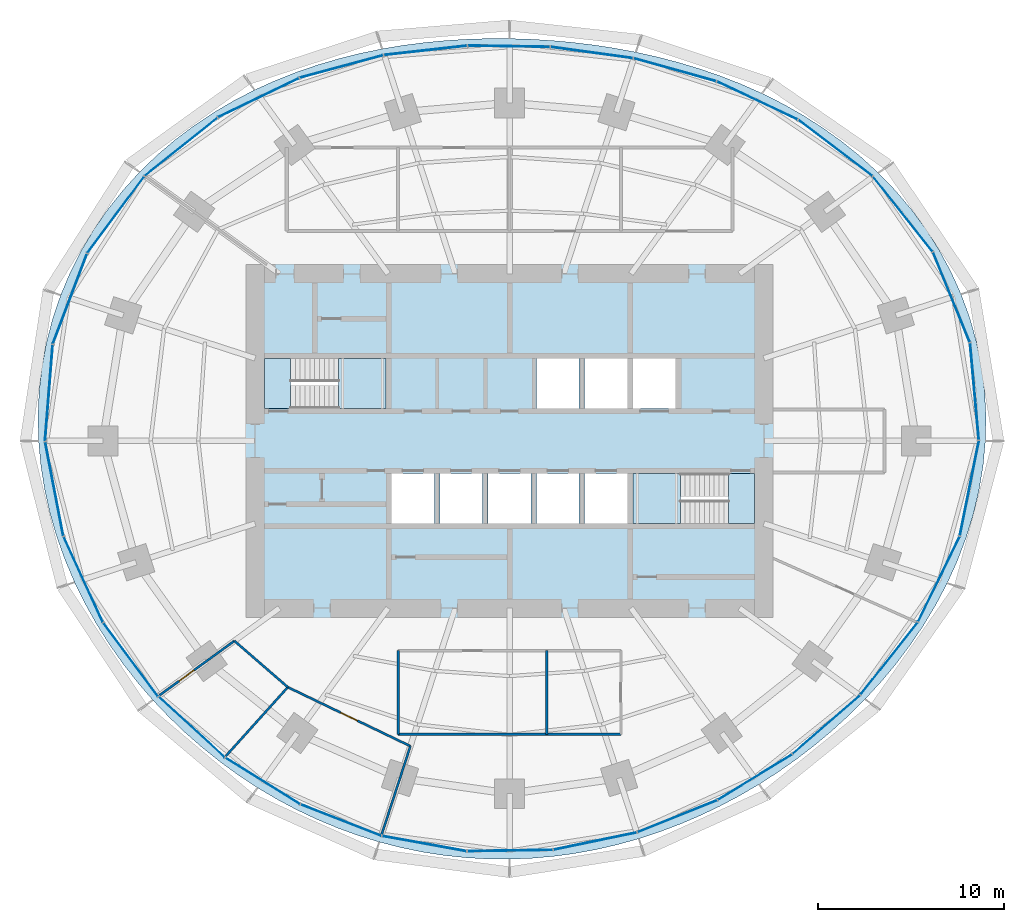
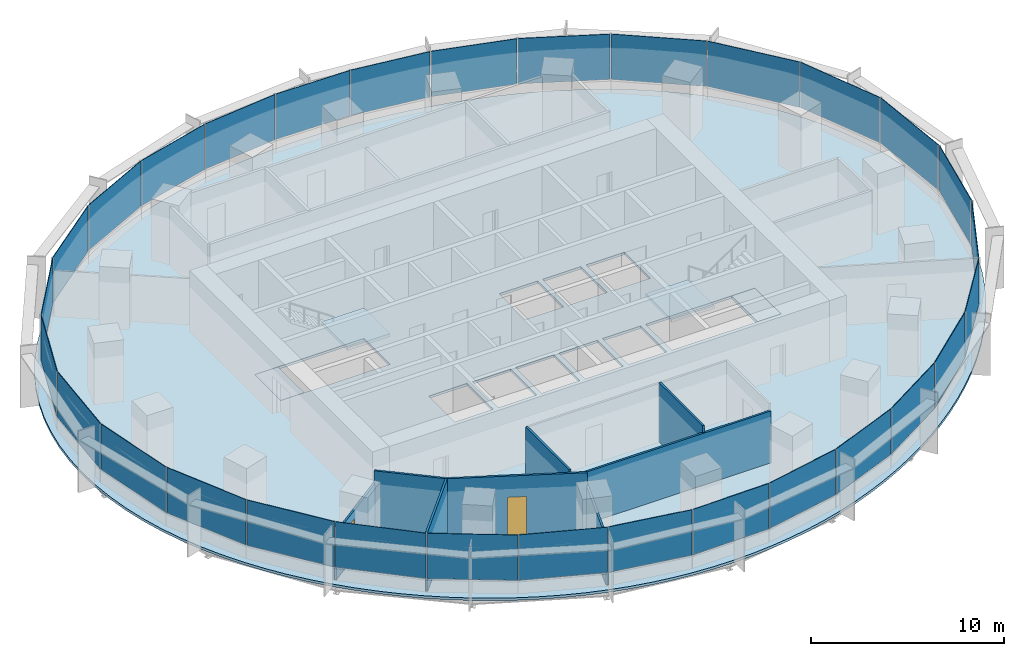
# One storey, part 9 of 14: 30 plates, 8 walls, 5 slabs, 2 doors, 2 openings, 8 elements without a shape of their own.
"""IFC4 building model written with IfcOpenShell, lengths in metres."""

from ifc_helpers import new_model, si_unit, direction, frame, frame_2d, origin, origin_2d, place, context, subcontext, project, spatial, polyline, rectangle, outline, extrude, material, layer, layer_set, type_object, element, fill, aggregate, save


model = new_model("IFC4")

# Units and contexts
model_context = context("Model", 3, precision=1e-05, world=origin(), true_north=direction((0.0, 1.0)))
body_context = subcontext(model_context, "Body", "Model", "MODEL_VIEW")
ifc_project = project(units=[si_unit("LENGTHUNIT", "METRE"), si_unit("AREAUNIT", "SQUARE_METRE"), si_unit("VOLUMEUNIT", "CUBIC_METRE"), si_unit("PLANEANGLEUNIT", "RADIAN"), si_unit("MASSUNIT", "GRAM", prefix="KILO")], contexts=[model_context])

# Site, building, storey
site_placement = place(None, origin())
site = spatial("IfcSite", under=ifc_project, at=site_placement, CompositionType="ELEMENT")
building_placement = place(site_placement, origin())
building = spatial("IfcBuilding", under=site, at=building_placement, Name="Marramba Exchange Tower", CompositionType="ELEMENT")
storey_placement = place(building_placement, frame((0.0, 0.0, 158.699951171875)))
storey = spatial("IfcBuildingStorey", under=building, at=storey_placement, Name="L38", CompositionType="ELEMENT", Elevation=158.699951171875)

# Slab
ifc_material_1 = material(Name="Concrete N40", Category="concrete")
ifc_layer_1 = layer(ifc_material_1, 0.159912109375)
ifc_layer_set_1 = layer_set([ifc_layer_1], Name="Composite floor slab 160")
slab_type_1 = type_object("IfcSlabType", Name="Composite floor slab 160", PredefinedType="FLOOR", material=ifc_layer_set_1)
slab_1_placement = place(storey_placement, frame((0.0, 0.0, -0.159912109375)))
element("IfcSlab", 1, at=slab_1_placement, inside=storey, type_object=slab_type_1, Name="Floor slab L38", PredefinedType="FLOOR", context=body_context, shape_type="SweptSolid", body=[
    extrude(outline(polyline([(25.632080078125, 0.0), (25.66064453125, 1.3447265625), (25.59033203125, 2.689697265625), (25.420166015625, 4.026123046875), (25.15087890625, 5.345947265625), (24.7841796875, 6.640869140625), (24.322998046875, 7.903076171875), (23.771484375, 9.125), (23.135009765625, 10.30029296875), (22.419677734375, 11.42333984375), (21.632080078125, 12.4892578125), (20.779541015625, 13.494384765625), (19.869384765625, 14.43603515625), (18.9091796875, 15.3125), (17.90625, 16.122802734375), (16.86767578125, 16.86767578125), (15.800048828125, 17.5478515625), (14.70947265625, 18.164794921875), (13.6015625, 18.720947265625), (12.48095703125, 19.218994140625), (11.3515625, 19.66162109375), (10.217041015625, 20.05224609375), (9.079833984375, 20.393798828125), (7.94189453125, 20.689453125), (6.804443359375, 20.942138671875), (5.668212890625, 21.154296875), (4.533447265625, 21.328369140625), (3.39990234375, 21.46630859375), (2.26708984375, 21.5693359375), (1.134033203125, 21.63818359375), (0.0, 21.673095703125), (-1.135986328125, 21.673828125), (-2.2744140625, 21.6396484375), (-3.416259765625, 21.5693359375), (-4.5615234375, 21.460693359375), (-5.71044921875, 21.31201171875), (-6.8623046875, 21.1201171875), (-8.01611328125, 20.8828125), (-9.170166015625, 20.5966796875), (-10.322509765625, 20.2587890625), (-11.4697265625, 19.8662109375), (-12.60888671875, 19.415771484375), (-13.7353515625, 18.905029296875), (-14.8447265625, 18.331787109375), (-15.931640625, 17.69384765625), (-16.989990234375, 16.989990234375), (-18.013916015625, 16.2197265625), (-18.996826171875, 15.38330078125), (-19.931884765625, 14.4814453125), (-20.8125, 13.515869140625), (-21.632080078125, 12.4892578125), (-22.384033203125, 11.4052734375), (-23.0625, 10.26806640625), (-23.661865234375, 9.0830078125), (-24.177734375, 7.855712890625), (-24.605712890625, 6.593017578125), (-24.943603515625, 5.302001953125), (-25.18896484375, 3.989501953125), (-25.341064453125, 2.663330078125), (-25.400390625, 1.3310546875), (-25.367919921875, 0.0), (-25.246337890625, -1.322998046875), (-25.038818359375, -2.631591796875), (-24.748779296875, -3.919921875), (-24.381103515625, -5.182373046875), (-23.940185546875, -6.414794921875), (-23.431396484375, -7.61328125), (-22.859130859375, -8.77490234375), (-22.22900390625, -9.89697265625), (-21.545166015625, -10.977783203125), (-20.81201171875, -12.015869140625), (-20.033935546875, -13.010009765625), (-19.2138671875, -13.959716796875), (-18.35546875, -14.86376953125), (-17.461181640625, -15.72216796875), (-16.53369140625, -16.53369140625), (-15.5751953125, -17.298095703125), (-14.587646484375, -18.014404296875), (-13.5732421875, -18.681884765625), (-12.533203125, -19.299560546875), (-11.4697265625, -19.8662109375), (-10.384765625, -20.381103515625), (-9.27978515625, -20.8427734375), (-8.157470703125, -21.250732421875), (-7.019287109375, -21.603271484375), (-5.8681640625, -21.900146484375), (-4.7060546875, -22.14013671875), (-3.53564453125, -22.322998046875), (-2.359375, -22.448486328125), (-1.179931640625, -22.516357421875), (0.0, -22.52685546875), (1.17822265625, -22.480712890625), (2.35205078125, -22.3779296875), (3.519287109375, -22.22021484375), (4.677978515625, -22.0078125), (5.825927734375, -21.742431640625), (6.96142578125, -21.425048828125), (8.0830078125, -21.05712890625), (9.189453125, -20.639892578125), (10.279296875, -20.17431640625), (11.3515625, -19.66162109375), (12.4052734375, -19.1025390625), (13.439453125, -18.497802734375), (14.45263671875, -17.847412109375), (15.44384765625, -17.152099609375), (16.411376953125, -16.411376953125), (17.353515625, -15.625244140625), (18.267822265625, -14.79296875), (19.1513671875, -13.914306640625), (20.000732421875, -12.98876953125), (20.81201171875, -12.015869140625), (21.580810546875, -10.995849609375), (22.301513671875, -9.92919921875), (22.96875, -8.81689453125), (23.57666015625, -7.660400390625), (24.11865234375, -6.462646484375), (24.588623046875, -5.2265625), (24.980224609375, -3.95654296875), (25.2880859375, -2.657958984375), (25.5068359375, -1.336669921875), (25.632080078125, 0.0)]), holes=[polyline([(1.449951171875, 1.75), (3.75, 1.75), (3.75, 4.449951171875), (1.449951171875, 4.449951171875), (1.449951171875, 1.75)]), polyline([(4.050048828125, 1.75), (6.35009765625, 1.75), (6.35009765625, 4.449951171875), (4.050048828125, 4.449951171875), (4.050048828125, 1.75)]), polyline([(-6.35009765625, -4.449951171875), (-4.050048828125, -4.449951171875), (-4.050048828125, -1.75), (-6.35009765625, -1.75), (-6.35009765625, -4.449951171875)]), polyline([(-3.75, -4.449951171875), (-1.449951171875, -4.449951171875), (-1.449951171875, -1.75), (-3.75, -1.75), (-3.75, -4.449951171875)]), polyline([(-1.14990234375, -4.449951171875), (1.14990234375, -4.449951171875), (1.14990234375, -1.75), (-1.14990234375, -1.75), (-1.14990234375, -4.449951171875)]), polyline([(1.449951171875, -4.449951171875), (3.75, -4.449951171875), (3.75, -1.75), (1.449951171875, -1.75), (1.449951171875, -4.449951171875)]), polyline([(4.050048828125, -4.449951171875), (6.35009765625, -4.449951171875), (6.35009765625, -1.75), (4.050048828125, -1.75), (4.050048828125, -4.449951171875)]), polyline([(6.64990234375, 1.75), (8.949951171875, 1.75), (8.949951171875, 4.449951171875), (6.64990234375, 4.449951171875), (6.64990234375, 1.75)]), polyline([(-13.199951171875, 1.75), (-6.64990234375, 1.75), (-6.64990234375, 4.449951171875), (-13.199951171875, 4.449951171875), (-13.199951171875, 1.75)]), polyline([(6.64990234375, -4.449951171875), (13.199951171875, -4.449951171875), (13.199951171875, -1.75), (6.64990234375, -1.75), (6.64990234375, -4.449951171875)])]), origin(), (0.0, 0.0, 1.0), 0.159912109375),
])

# Curtain wall, plates
ifc_material_2 = material(Name="Aluminium framing, bronze anodised", Category="aluminium")
curtain_wall_type = type_object("IfcCurtainWallType", Name="Office ribbon curtain wall", PredefinedType="USERDEFINED", material=ifc_material_2)
curtain_wall_1_placement = place(storey_placement, origin())
curtain_wall_1 = element("IfcCurtainWall", 2, at=curtain_wall_1_placement, inside=storey, type_object=curtain_wall_type, Name="Curtain wall CW4 L38 F01-F05", ObjectType="RIBBON CURTAIN WALL", PredefinedType="USERDEFINED")
ifc_material_3 = material(Name="Laminated double glazed unit 10.76 + 16 + 10.76, bronze tinted", Category="glass")
ifc_layer_2 = layer(ifc_material_3, 0.03759765625)
ifc_layer_set_2 = layer_set([ifc_layer_2], Name="Office ribbon curtain wall panel")
plate_type = type_object("IfcPlateType", Name="Office ribbon curtain wall panel", PredefinedType="CURTAIN_PANEL", material=ifc_layer_set_2)
plate_1_placement = place(storey_placement, frame((25.042724609375, 2.66650390625, 0.860107421875), z_axis=(0.0, 0.0, 1.0), x_axis=(-0.089412887889, 0.995994646311, 0.0)))
plate_1 = element("IfcPlate", 3, at=plate_1_placement, type_object=plate_type, Name="CW4 vision panel", PredefinedType="CURTAIN_PANEL", context=body_context, shape_type="SweptSolid", body=[
    extrude(rectangle(XDim=5.234375, YDim=0.03759765625, at=origin_2d()), origin(), (0.0, 0.0, 1.0), 2.8798828125),
])
plate_2_placement = place(storey_placement, frame((23.800537109375, 7.743408203125, 0.860107421875), z_axis=(0.0, 0.0, 1.0), x_axis=(-0.377821183171, 0.925878584668, 0.0)))
plate_2 = element("IfcPlate", 4, at=plate_2_placement, type_object=plate_type, Name="CW4 vision panel", PredefinedType="CURTAIN_PANEL", context=body_context, shape_type="SweptSolid", body=[
    extrude(rectangle(XDim=5.2158203125, YDim=0.03759765625, at=origin_2d()), origin(), (0.0, 0.0, 1.0), 2.8798828125),
])
plate_3_placement = place(storey_placement, frame((21.18212890625, 12.217529296875, 0.860107421875), z_axis=(0.0, 0.0, 1.0), x_axis=(-0.621312004611, 0.783563266703, 0.0)))
plate_3 = element("IfcPlate", 5, at=plate_3_placement, type_object=plate_type, Name="CW4 vision panel", PredefinedType="CURTAIN_PANEL", context=body_context, shape_type="SweptSolid", body=[
    extrude(rectangle(XDim=5.136962890625, YDim=0.03759765625, at=origin_2d()), origin(), (0.0, 0.0, 1.0), 2.8798828125),
])
plate_4_placement = place(storey_placement, frame((17.55224609375, 15.777099609375, 0.860107421875), z_axis=(0.0, 0.0, 1.0), x_axis=(-0.795971748366, 0.60533377223, 0.0)))
plate_4 = element("IfcPlate", 6, at=plate_4_placement, type_object=plate_type, Name="CW4 vision panel", PredefinedType="CURTAIN_PANEL", context=body_context, shape_type="SweptSolid", body=[
    extrude(rectangle(XDim=4.990966796875, YDim=0.03759765625, at=origin_2d()), origin(), (0.0, 0.0, 1.0), 2.8798828125),
])
plate_5_placement = place(storey_placement, frame((13.34423828125, 18.3359375, 0.860107421875), z_axis=(0.0, 0.0, 1.0), x_axis=(-0.904403137485, 0.426678995157, 0.0)))
plate_5 = element("IfcPlate", 7, at=plate_5_placement, type_object=plate_type, Name="CW4 vision panel", PredefinedType="CURTAIN_PANEL", context=body_context, shape_type="SweptSolid", body=[
    extrude(rectangle(XDim=4.793212890625, YDim=0.03759765625, at=origin_2d()), origin(), (0.0, 0.0, 1.0), 2.8798828125),
])
aggregate(curtain_wall_1, [plate_1, plate_2, plate_3, plate_4, plate_5])

curtain_wall_2_placement = place(storey_placement, origin())
curtain_wall_2 = element("IfcCurtainWall", 8, at=curtain_wall_2_placement, inside=storey, type_object=curtain_wall_type, Name="Curtain wall CW4 L38 F06-F10", ObjectType="RIBBON CURTAIN WALL", PredefinedType="USERDEFINED")
plate_6_placement = place(storey_placement, frame((8.907470703125, 19.991943359375, 0.860107421875), z_axis=(0.0, 0.0, 1.0), x_axis=(-0.963177845956, 0.268865090816, 0.0)))
plate_6 = element("IfcPlate", 9, at=plate_6_placement, type_object=plate_type, Name="CW4 vision panel", PredefinedType="CURTAIN_PANEL", context=body_context, shape_type="SweptSolid", body=[
    extrude(rectangle(XDim=4.591552734375, YDim=0.03759765625, at=origin_2d()), origin(), (0.0, 0.0, 1.0), 2.8798828125),
])
plate_7_placement = place(storey_placement, frame((4.43359375, 20.919189453125, 0.860107421875), z_axis=(0.0, 0.0, 1.0), x_axis=(-0.990738212841, 0.135785837319, 0.0)))
plate_7 = element("IfcPlate", 10, at=plate_7_placement, type_object=plate_type, Name="CW4 vision panel", PredefinedType="CURTAIN_PANEL", context=body_context, shape_type="SweptSolid", body=[
    extrude(rectangle(XDim=4.447509765625, YDim=0.03759765625, at=origin_2d()), origin(), (0.0, 0.0, 1.0), 2.8798828125),
])
plate_8_placement = place(storey_placement, frame((-0.03369140625, 21.2568359375, 0.860107421875), z_axis=(0.0, 0.0, 1.0), x_axis=(-0.999875869968, 0.01575578169, 0.0)))
plate_8 = element("IfcPlate", 11, at=plate_8_placement, type_object=plate_type, Name="CW4 vision panel", PredefinedType="CURTAIN_PANEL", context=body_context, shape_type="SweptSolid", body=[
    extrude(rectangle(XDim=4.408935546875, YDim=0.03759765625, at=origin_2d()), origin(), (0.0, 0.0, 1.0), 2.8798828125),
])
plate_9_placement = place(storey_placement, frame((-4.52587890625, 21.0361328125, 0.860107421875), z_axis=(0.0, 0.0, 1.0), x_axis=(-0.993823395532, -0.110973233233, 0.0)))
plate_9 = element("IfcPlate", 12, at=plate_9_placement, type_object=plate_type, Name="CW4 vision panel", PredefinedType="CURTAIN_PANEL", context=body_context, shape_type="SweptSolid", body=[
    extrude(rectangle(XDim=4.484375, YDim=0.03759765625, at=origin_2d()), origin(), (0.0, 0.0, 1.0), 2.8798828125),
])
plate_10_placement = place(storey_placement, frame((-9.053466796875, 20.16748046875, 0.860107421875), z_axis=(0.0, 0.0, 1.0), x_axis=(-0.965522047176, -0.260321294588, 0.0)))
plate_10 = element("IfcPlate", 13, at=plate_10_placement, type_object=plate_type, Name="CW4 vision panel", PredefinedType="CURTAIN_PANEL", context=body_context, shape_type="SweptSolid", body=[
    extrude(rectangle(XDim=4.642578125, YDim=0.03759765625, at=origin_2d()), origin(), (0.0, 0.0, 1.0), 2.8798828125),
])
aggregate(curtain_wall_2, [plate_6, plate_7, plate_8, plate_9, plate_10])

curtain_wall_3_placement = place(storey_placement, origin())
curtain_wall_3 = element("IfcCurtainWall", 14, at=curtain_wall_3_placement, inside=storey, type_object=curtain_wall_type, Name="Curtain wall CW4 L38 F11-F15", ObjectType="RIBBON CURTAIN WALL", PredefinedType="USERDEFINED")
plate_11_placement = place(storey_placement, frame((-13.52294921875, 18.4853515625, 0.860107421875), z_axis=(0.0, 0.0, 1.0), x_axis=(-0.900223739881, -0.435427626771, 0.0)))
plate_11 = element("IfcPlate", 15, at=plate_11_placement, type_object=plate_type, Name="CW4 vision panel", PredefinedType="CURTAIN_PANEL", context=body_context, shape_type="SweptSolid", body=[
    extrude(rectangle(XDim=4.83056640625, YDim=0.03759765625, at=origin_2d()), origin(), (0.0, 0.0, 1.0), 2.8798828125),
])
plate_12_placement = place(storey_placement, frame((-17.696533203125, 15.8359375, 0.860107421875), z_axis=(0.0, 0.0, 1.0), x_axis=(-0.78117833008, -0.624307950145, 0.0)))
plate_12 = element("IfcPlate", 16, at=plate_12_placement, type_object=plate_type, Name="CW4 vision panel", PredefinedType="CURTAIN_PANEL", context=body_context, shape_type="SweptSolid", body=[
    extrude(rectangle(XDim=4.998291015625, YDim=0.03759765625, at=origin_2d()), origin(), (0.0, 0.0, 1.0), 2.8798828125),
])
plate_13_placement = place(storey_placement, frame((-21.213623046875, 12.1767578125, 0.860107421875), z_axis=(0.0, 0.0, 1.0), x_axis=(-0.597703997504, -0.80171686484, 0.0)))
plate_13 = element("IfcPlate", 17, at=plate_13_placement, type_object=plate_type, Name="CW4 vision panel", PredefinedType="CURTAIN_PANEL", context=body_context, shape_type="SweptSolid", body=[
    extrude(rectangle(XDim=5.116455078125, YDim=0.03759765625, at=origin_2d()), origin(), (0.0, 0.0, 1.0), 2.8798828125),
])
plate_14_placement = place(storey_placement, frame((-23.6826171875, 7.6494140625, 0.860107421875), z_axis=(0.0, 0.0, 1.0), x_axis=(-0.354844468484, -0.934925346317, 0.0)))
plate_14 = element("IfcPlate", 18, at=plate_14_placement, type_object=plate_type, Name="CW4 vision panel", PredefinedType="CURTAIN_PANEL", context=body_context, shape_type="SweptSolid", body=[
    extrude(rectangle(XDim=5.177490234375, YDim=0.03759765625, at=origin_2d()), origin(), (0.0, 0.0, 1.0), 2.8798828125),
])
plate_15_placement = place(storey_placement, frame((-24.81201171875, 2.584716796875, 0.860107421875), z_axis=(0.0, 0.0, 1.0), x_axis=(-0.079459696383, -0.996838079455, 0.0)))
plate_15 = element("IfcPlate", 19, at=plate_15_placement, type_object=plate_type, Name="CW4 vision panel", PredefinedType="CURTAIN_PANEL", context=body_context, shape_type="SweptSolid", body=[
    extrude(rectangle(XDim=5.185791015625, YDim=0.03759765625, at=origin_2d()), origin(), (0.0, 0.0, 1.0), 2.8798828125),
])
aggregate(curtain_wall_3, [plate_11, plate_12, plate_13, plate_14, plate_15])

curtain_wall_4_placement = place(storey_placement, origin())
curtain_wall_4 = element("IfcCurtainWall", 20, at=curtain_wall_4_placement, inside=storey, type_object=curtain_wall_type, Name="Curtain wall CW4 L38 F16-F20", ObjectType="RIBBON CURTAIN WALL", PredefinedType="USERDEFINED")
plate_16_placement = place(storey_placement, frame((-24.522705078125, -2.584228515625, 0.860107421875), z_axis=(0.0, 0.0, 1.0), x_axis=(0.18822721487, -0.982125509078, 0.0)))
plate_16 = element("IfcPlate", 21, at=plate_16_placement, type_object=plate_type, Name="CW4 vision panel", PredefinedType="CURTAIN_PANEL", context=body_context, shape_type="SweptSolid", body=[
    extrude(rectangle(XDim=5.142578125, YDim=0.03759765625, at=origin_2d()), origin(), (0.0, 0.0, 1.0), 2.8798828125),
])
plate_17_placement = place(storey_placement, frame((-22.96142578125, -7.45947265625, 0.860107421875), z_axis=(0.0, 0.0, 1.0), x_axis=(0.416737848929, -0.909026713177, 0.0)))
plate_17 = element("IfcPlate", 22, at=plate_17_placement, type_object=plate_type, Name="CW4 vision panel", PredefinedType="CURTAIN_PANEL", context=body_context, shape_type="SweptSolid", body=[
    extrude(rectangle(XDim=5.0498046875, YDim=0.03759765625, at=origin_2d()), origin(), (0.0, 0.0, 1.0), 2.8798828125),
])
plate_18_placement = place(storey_placement, frame((-20.402099609375, -11.7783203125, 0.860107421875), z_axis=(0.0, 0.0, 1.0), x_axis=(0.597304697033, -0.802014400683, 0.0)))
plate_18 = element("IfcPlate", 23, at=plate_18_placement, type_object=plate_type, Name="CW4 vision panel", PredefinedType="CURTAIN_PANEL", context=body_context, shape_type="SweptSolid", body=[
    extrude(rectangle(XDim=4.926513671875, YDim=0.03759765625, at=origin_2d()), origin(), (0.0, 0.0, 1.0), 2.8798828125),
])
plate_19_placement = place(storey_placement, frame((-17.11376953125, -15.416259765625, 0.860107421875), z_axis=(0.0, 0.0, 1.0), x_axis=(0.737821886077, -0.674995455115, 0.0)))
plate_19 = element("IfcPlate", 24, at=plate_19_placement, type_object=plate_type, Name="CW4 vision panel", PredefinedType="CURTAIN_PANEL", context=body_context, shape_type="SweptSolid", body=[
    extrude(rectangle(XDim=4.80517578125, YDim=0.03759765625, at=origin_2d()), origin(), (0.0, 0.0, 1.0), 2.8798828125),
])
plate_20_placement = place(storey_placement, frame((-13.29248046875, -18.31640625, 0.860107421875), z_axis=(0.0, 0.0, 1.0), x_axis=(0.84835459748, -0.52942844364, 0.0)))
plate_20 = element("IfcPlate", 25, at=plate_20_placement, type_object=plate_type, Name="CW4 vision panel", PredefinedType="CURTAIN_PANEL", context=body_context, shape_type="SweptSolid", body=[
    extrude(rectangle(XDim=4.70947265625, YDim=0.03759765625, at=origin_2d()), origin(), (0.0, 0.0, 1.0), 2.8798828125),
])
aggregate(curtain_wall_4, [plate_16, plate_17, plate_18, plate_19, plate_20])

curtain_wall_5_placement = place(storey_placement, origin())
curtain_wall_5 = element("IfcCurtainWall", 26, at=curtain_wall_5_placement, inside=storey, type_object=curtain_wall_type, Name="Curtain wall CW4 L38 F21-F25", ObjectType="RIBBON CURTAIN WALL", PredefinedType="USERDEFINED")
plate_21_placement = place(storey_placement, frame((-9.074951171875, -20.427734375, 0.860107421875), z_axis=(0.0, 0.0, 1.0), x_axis=(0.931818390344, -0.36292490603, 0.0)))
plate_21 = element("IfcPlate", 27, at=plate_21_placement, type_object=plate_type, Name="CW4 vision panel", PredefinedType="CURTAIN_PANEL", context=body_context, shape_type="SweptSolid", body=[
    extrude(rectangle(XDim=4.644287109375, YDim=0.03759765625, at=origin_2d()), origin(), (0.0, 0.0, 1.0), 2.8798828125),
])
plate_22_placement = place(storey_placement, frame((-4.58740234375, -21.690673828125, 0.860107421875), z_axis=(0.0, 0.0, 1.0), x_axis=(0.984031865834, -0.177992379115, 0.0)))
plate_22 = element("IfcPlate", 28, at=plate_22_placement, type_object=plate_type, Name="CW4 vision panel", PredefinedType="CURTAIN_PANEL", context=body_context, shape_type="SweptSolid", body=[
    extrude(rectangle(XDim=4.602783203125, YDim=0.03759765625, at=origin_2d()), origin(), (0.0, 0.0, 1.0), 2.8798828125),
])
plate_23_placement = place(storey_placement, frame((0.0263671875, -22.064697265625, 0.860107421875), z_axis=(0.0, 0.0, 1.0), x_axis=(0.999884797709, 0.015178646521, 0.0)))
plate_23 = element("IfcPlate", 29, at=plate_23_placement, type_object=plate_type, Name="CW4 vision panel", PredefinedType="CURTAIN_PANEL", context=body_context, shape_type="SweptSolid", body=[
    extrude(rectangle(XDim=4.578857421875, YDim=0.03759765625, at=origin_2d()), origin(), (0.0, 0.0, 1.0), 2.8798828125),
])
plate_24_placement = place(storey_placement, frame((4.61376953125, -21.554931640625, 0.860107421875), z_axis=(0.0, 0.0, 1.0), x_axis=(0.979310199794, 0.202364850159, 0.0)))
plate_24 = element("IfcPlate", 30, at=plate_24_placement, type_object=plate_type, Name="CW4 vision panel", PredefinedType="CURTAIN_PANEL", context=body_context, shape_type="SweptSolid", body=[
    extrude(rectangle(XDim=4.57373046875, YDim=0.03759765625, at=origin_2d()), origin(), (0.0, 0.0, 1.0), 2.8798828125),
])
plate_25_placement = place(storey_placement, frame((9.042724609375, -20.214111328125, 0.860107421875), z_axis=(0.0, 0.0, 1.0), x_axis=(0.928148916059, 0.372209067082, 0.0)))
plate_25 = element("IfcPlate", 31, at=plate_25_placement, type_object=plate_type, Name="CW4 vision panel", PredefinedType="CURTAIN_PANEL", context=body_context, shape_type="SweptSolid", body=[
    extrude(rectangle(XDim=4.59814453125, YDim=0.03759765625, at=origin_2d()), origin(), (0.0, 0.0, 1.0), 2.8798828125),
])
aggregate(curtain_wall_5, [plate_21, plate_22, plate_23, plate_24, plate_25])

curtain_wall_6_placement = place(storey_placement, origin())
curtain_wall_6 = element("IfcCurtainWall", 32, at=curtain_wall_6_placement, inside=storey, type_object=curtain_wall_type, Name="Curtain wall CW4 L38 F26-F30", ObjectType="RIBBON CURTAIN WALL", PredefinedType="USERDEFINED")
plate_26_placement = place(storey_placement, frame((13.21875, -18.109619140625, 0.860107421875), z_axis=(0.0, 0.0, 1.0), x_axis=(0.853109114492, 0.521732535664, 0.0)))
plate_26 = element("IfcPlate", 33, at=plate_26_placement, type_object=plate_type, Name="CW4 vision panel", PredefinedType="CURTAIN_PANEL", context=body_context, shape_type="SweptSolid", body=[
    extrude(rectangle(XDim=4.66748046875, YDim=0.03759765625, at=origin_2d()), origin(), (0.0, 0.0, 1.0), 2.8798828125),
])
plate_27_placement = place(storey_placement, frame((17.0615234375, -15.280517578125, 0.860107421875), z_axis=(0.0, 0.0, 1.0), x_axis=(0.754385506384, 0.656431647438, 0.0)))
plate_27 = element("IfcPlate", 34, at=plate_27_placement, type_object=plate_type, Name="CW4 vision panel", PredefinedType="CURTAIN_PANEL", context=body_context, shape_type="SweptSolid", body=[
    extrude(rectangle(XDim=4.789794921875, YDim=0.03759765625, at=origin_2d()), origin(), (0.0, 0.0, 1.0), 2.8798828125),
])
plate_28_placement = place(storey_placement, frame((20.443603515625, -11.724365234375, 0.860107421875), z_axis=(0.0, 0.0, 1.0), x_axis=(0.621807472329, 0.783170139469, 0.0)))
plate_28 = element("IfcPlate", 35, at=plate_28_placement, type_object=plate_type, Name="CW4 vision panel", PredefinedType="CURTAIN_PANEL", context=body_context, shape_type="SweptSolid", body=[
    extrude(rectangle(XDim=4.947265625, YDim=0.03759765625, at=origin_2d()), origin(), (0.0, 0.0, 1.0), 2.8798828125),
])
plate_29_placement = place(storey_placement, frame((23.127197265625, -7.443359375, 0.860107421875), z_axis=(0.0, 0.0, 1.0), x_axis=(0.439086342308, 0.89844486976, 0.0)))
plate_29 = element("IfcPlate", 36, at=plate_29_placement, type_object=plate_type, Name="CW4 vision panel", PredefinedType="CURTAIN_PANEL", context=body_context, shape_type="SweptSolid", body=[
    extrude(rectangle(XDim=5.096923828125, YDim=0.03759765625, at=origin_2d()), origin(), (0.0, 0.0, 1.0), 2.8798828125),
])
plate_30_placement = place(storey_placement, frame((24.77001953125, -2.54736328125, 0.860107421875), z_axis=(0.0, 0.0, 1.0), x_axis=(0.197048511267, 0.980393739376, 0.0)))
plate_30 = element("IfcPlate", 37, at=plate_30_placement, type_object=plate_type, Name="CW4 vision panel", PredefinedType="CURTAIN_PANEL", context=body_context, shape_type="SweptSolid", body=[
    extrude(rectangle(XDim=5.19677734375, YDim=0.03759765625, at=origin_2d()), origin(), (0.0, 0.0, 1.0), 2.8798828125),
])
aggregate(curtain_wall_6, [plate_26, plate_27, plate_28, plate_29, plate_30])

# Stair, slabs
ifc_material_4 = material(Name="Concrete N40 (40 MPa)", Category="concrete")
stair_type_1 = type_object("IfcStairType", Name="Exit stair ST1 3900 x 1250", PredefinedType="HALF_TURN_STAIR", material=ifc_material_4)
stair_1_placement = place(storey_placement, origin())
stair_1 = element("IfcStair", 38, at=stair_1_placement, inside=storey, type_object=stair_type_1, Name="Exit stair ST1 L38", PredefinedType="HALF_TURN_STAIR")
ifc_layer_3 = layer(ifc_material_4, 0.199951171875)
ifc_layer_set_3 = layer_set([ifc_layer_3], Name="Stair landing 200")
slab_type_2 = type_object("IfcSlabType", Name="Stair landing 200", PredefinedType="LANDING", material=ifc_layer_set_3)
slab_2_placement = place(storey_placement, frame((0.0, 0.0, -0.199951171875)))
slab_2 = element("IfcSlab", 39, at=slab_2_placement, type_object=slab_type_2, Name="ST1 landing 1", PredefinedType="LANDING", context=body_context, shape_type="SweptSolid", body=[
    extrude(outline(polyline([(-13.199951171875, 1.75), (-11.800048828125, 1.75), (-11.800048828125, 4.449951171875), (-13.199951171875, 4.449951171875), (-13.199951171875, 1.75)])), origin(), (0.0, 0.0, 1.0), 0.199951171875),
])
slab_3_placement = place(storey_placement, frame((0.0, 0.0, 1.75)))
slab_3 = element("IfcSlab", 40, at=slab_3_placement, type_object=slab_type_2, Name="ST1 landing 2", PredefinedType="LANDING", context=body_context, shape_type="SweptSolid", body=[
    extrude(outline(polyline([(-9.199951171875, 1.75), (-6.64990234375, 1.75), (-6.64990234375, 4.449951171875), (-9.199951171875, 4.449951171875), (-9.199951171875, 1.75)])), origin(), (0.0, 0.0, 1.0), 0.199951171875),
])
aggregate(stair_1, [slab_2, slab_3])

stair_type_2 = type_object("IfcStairType", Name="Exit stair ST2 3900 x 1250", PredefinedType="HALF_TURN_STAIR", material=ifc_material_4)
stair_2_placement = place(storey_placement, origin())
stair_2 = element("IfcStair", 41, at=stair_2_placement, inside=storey, type_object=stair_type_2, Name="Exit stair ST2 L38", PredefinedType="HALF_TURN_STAIR")
slab_4_placement = place(storey_placement, frame((0.0, 0.0, -0.199951171875)))
slab_4 = element("IfcSlab", 42, at=slab_4_placement, type_object=slab_type_2, Name="ST2 landing 1", PredefinedType="LANDING", context=body_context, shape_type="SweptSolid", body=[
    extrude(outline(polyline([(11.800048828125, -4.449951171875), (13.199951171875, -4.449951171875), (13.199951171875, -1.75), (11.800048828125, -1.75), (11.800048828125, -4.449951171875)])), origin(), (0.0, 0.0, 1.0), 0.199951171875),
])
slab_5_placement = place(storey_placement, frame((0.0, 0.0, 1.75)))
slab_5 = element("IfcSlab", 43, at=slab_5_placement, type_object=slab_type_2, Name="ST2 landing 2", PredefinedType="LANDING", context=body_context, shape_type="SweptSolid", body=[
    extrude(outline(polyline([(6.64990234375, -4.449951171875), (9.199951171875, -4.449951171875), (9.199951171875, -1.75), (6.64990234375, -1.75), (6.64990234375, -4.449951171875)])), origin(), (0.0, 0.0, 1.0), 0.199951171875),
])
aggregate(stair_2, [slab_4, slab_5])

# Wall, opening, door
ifc_material_5 = material(Name="Plasterboard on steel studs", Category="steel")
ifc_layer_4 = layer(ifc_material_5, 0.1201171875)
ifc_layer_set_4 = layer_set([ifc_layer_4], Name="Partition 120")
wall_type = type_object("IfcWallType", Name="Partition 120", PredefinedType="PARTITIONING", material=ifc_layer_set_4)
wall_1_placement = place(storey_placement, frame((-14.82080078125, -10.76806640625, 0.0), z_axis=(0.0, 0.0, 1.0), x_axis=(-0.809042143657, -0.587750635718, 0.0)))
wall_1 = element("IfcWall", 44, at=wall_1_placement, inside=storey, type_object=wall_type, Name="Partition L38 01", PredefinedType="PARTITIONING", context=body_context, shape_type="SweptSolid", body=[
    extrude(rectangle(XDim=5.0, YDim=0.1201171875, at=frame_2d((2.5, 0.0))), origin(), (0.0, 0.0, 1.0), 2.93994140625),
])
opening_1_placement = place(wall_1_placement, frame((2.68505859375, 0.0, 0.0)))
opening_1 = element("IfcOpeningElement", 45, at=opening_1_placement, cuts=wall_1, Name="Opening D9", PredefinedType="OPENING", context=body_context, shape_type="SweptSolid", body=[
    extrude(rectangle(XDim=1.0, YDim=2.39990234375, at=frame_2d((0.5, 1.199951171875))), frame((0.0, 0.070068359375, 0.0), z_axis=(0.0, -1.0, 0.0), x_axis=(1.0, 0.0, 0.0)), (0.0, 0.0, 1.0), 0.14013671875),
])
ifc_material_6 = material(Name="Timber door", Category="wood")
door_type = type_object("IfcDoorType", Name="Room door 1000x2400", OperationType="SINGLE_SWING_LEFT", PredefinedType="DOOR", material=ifc_material_6)
door_1_placement = place(opening_1_placement, origin())
door_1 = element("IfcDoor", 46, at=door_1_placement, inside=storey, type_object=door_type, Name="D9 Office 1 L38", OperationType="SINGLE_SWING_RIGHT", OverallHeight=2.39990234375, OverallWidth=1.0, PredefinedType="DOOR", context=body_context, shape_type="SweptSolid", body=[
    extrude(rectangle(XDim=1.0, YDim=2.39990234375, at=frame_2d((0.5, 1.199951171875))), frame((0.0, 0.02490234375, 0.0), z_axis=(0.0, -1.0, 0.0), x_axis=(1.0, 0.0, 0.0)), (0.0, 0.0, 1.0), 0.050048828125),
])
fill(opening_1, door_1)

# Walls
wall_2_placement = place(storey_placement, frame((-11.94189453125, -13.2626953125, 0.0), z_axis=(0.0, 0.0, 1.0), x_axis=(-0.755744060509, 0.654867097208, 0.0)))
element("IfcWall", 47, at=wall_2_placement, inside=storey, type_object=wall_type, Name="Partition L38 02", PredefinedType="PARTITIONING", context=body_context, shape_type="SweptSolid", body=[
    extrude(rectangle(XDim=3.809326171875, YDim=0.1201171875, at=frame_2d((1.90478515625, 0.0))), origin(), (0.0, 0.0, 1.0), 3.739990234375),
])
wall_3_placement = place(storey_placement, frame((-11.94189453125, -13.2626953125, 0.0), z_axis=(0.0, 0.0, 1.0), x_axis=(-0.669126573551, -0.743148456614, 0.0)))
element("IfcWall", 48, at=wall_3_placement, inside=storey, type_object=wall_type, Name="Partition L38 03", PredefinedType="PARTITIONING", context=body_context, shape_type="SweptSolid", body=[
    extrude(rectangle(XDim=5.0, YDim=0.1201171875, at=frame_2d((2.5, 0.0))), origin(), (0.0, 0.0, 1.0), 3.739990234375),
])

# Wall, opening, door
wall_4_placement = place(storey_placement, frame((-5.34130859375, -16.439208984375, 0.0), z_axis=(0.0, 0.0, 1.0), x_axis=(-0.901084159561, 0.43364425211, 0.0)))
wall_4 = element("IfcWall", 49, at=wall_4_placement, inside=storey, type_object=wall_type, Name="Partition L38 04", PredefinedType="PARTITIONING", context=body_context, shape_type="SweptSolid", body=[
    extrude(rectangle(XDim=7.3251953125, YDim=0.1201171875, at=frame_2d((3.66259765625, 0.0))), origin(), (0.0, 0.0, 1.0), 3.739990234375),
])
opening_2_placement = place(wall_4_placement, frame((3.162109375, 0.0, 0.0)))
opening_2 = element("IfcOpeningElement", 50, at=opening_2_placement, cuts=wall_4, Name="Opening D9", PredefinedType="OPENING", context=body_context, shape_type="SweptSolid", body=[
    extrude(rectangle(XDim=1.0, YDim=2.39990234375, at=frame_2d((0.5, 1.199951171875))), frame((0.0, 0.070068359375, 0.0), z_axis=(0.0, -1.0, 0.0), x_axis=(1.0, 0.0, 0.0)), (0.0, 0.0, 1.0), 0.14013671875),
])
door_2_placement = place(opening_2_placement, origin())
door_2 = element("IfcDoor", 51, at=door_2_placement, inside=storey, type_object=door_type, Name="D9 Office 2 L38", OperationType="SINGLE_SWING_LEFT", OverallHeight=2.39990234375, OverallWidth=1.0, PredefinedType="DOOR", context=body_context, shape_type="SweptSolid", body=[
    extrude(rectangle(XDim=1.0, YDim=2.39990234375, at=frame_2d((0.5, 1.199951171875))), frame((0.0, 0.02490234375, 0.0), z_axis=(0.0, -1.0, 0.0), x_axis=(1.0, 0.0, 0.0)), (0.0, 0.0, 1.0), 0.050048828125),
])
fill(opening_2, door_2)

# Walls
wall_5_placement = place(storey_placement, frame((-6.0, -15.800048828125, 0.0), z_axis=(0.0, 0.0, 1.0), x_axis=(0.0, 1.0, 0.0)))
element("IfcWall", 52, at=wall_5_placement, inside=storey, type_object=wall_type, Name="Partition L38 05", PredefinedType="PARTITIONING", context=body_context, shape_type="SweptSolid", body=[
    extrude(rectangle(XDim=4.5, YDim=0.1201171875, at=frame_2d((2.25, 0.0))), origin(), (0.0, 0.0, 1.0), 3.739990234375),
])
wall_6_placement = place(storey_placement, frame((-6.886474609375, -21.1943359375, 0.0), z_axis=(0.0, 0.0, 1.0), x_axis=(0.309040803421, 0.951048779938, 0.0)))
element("IfcWall", 53, at=wall_6_placement, inside=storey, type_object=wall_type, Name="Partition L38 06", PredefinedType="PARTITIONING", context=body_context, shape_type="SweptSolid", body=[
    extrude(rectangle(XDim=4.999755859375, YDim=0.1201171875, at=frame_2d((2.5, 0.0))), origin(), (0.0, 0.0, 1.0), 2.93994140625),
])
wall_7_placement = place(storey_placement, frame((6.0, -15.800048828125, 0.0), z_axis=(0.0, 0.0, 1.0), x_axis=(-1.0, 0.0, 0.0)))
element("IfcWall", 54, at=wall_7_placement, inside=storey, type_object=wall_type, Name="Partition L38 08", PredefinedType="PARTITIONING", context=body_context, shape_type="SweptSolid", body=[
    extrude(rectangle(XDim=12.0, YDim=0.1201171875, at=frame_2d((6.0, 0.0))), origin(), (0.0, 0.0, 1.0), 3.2861328125),
])
wall_8_placement = place(storey_placement, frame((2.0, -11.300048828125, 0.0), z_axis=(0.0, 0.0, 1.0), x_axis=(0.0, -1.0, 0.0)))
element("IfcWall", 55, at=wall_8_placement, inside=storey, type_object=wall_type, Name="Partition L38 09", PredefinedType="PARTITIONING", context=body_context, shape_type="SweptSolid", body=[
    extrude(rectangle(XDim=4.5, YDim=0.1201171875, at=frame_2d((2.25, 0.0))), origin(), (0.0, 0.0, 1.0), 3.739990234375),
])

save(model, "model.ifc")
